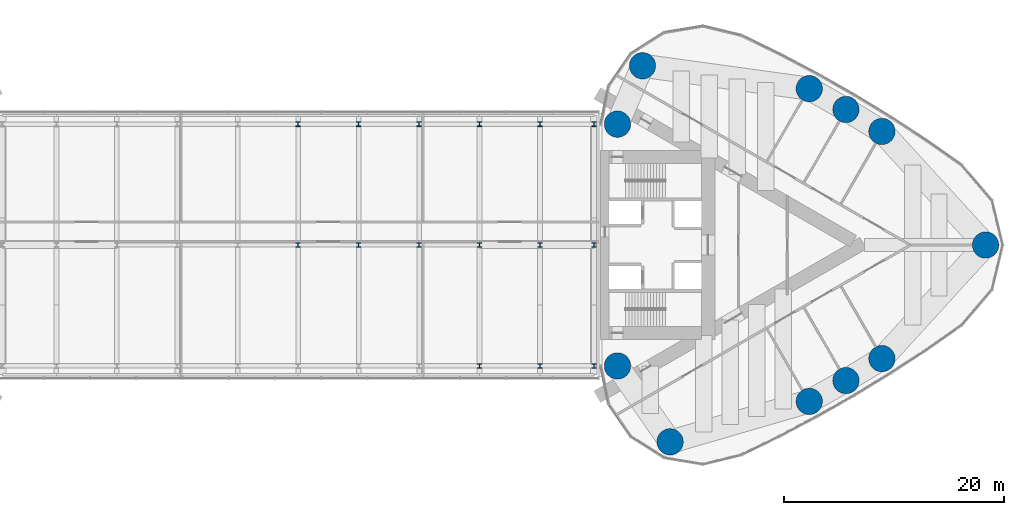
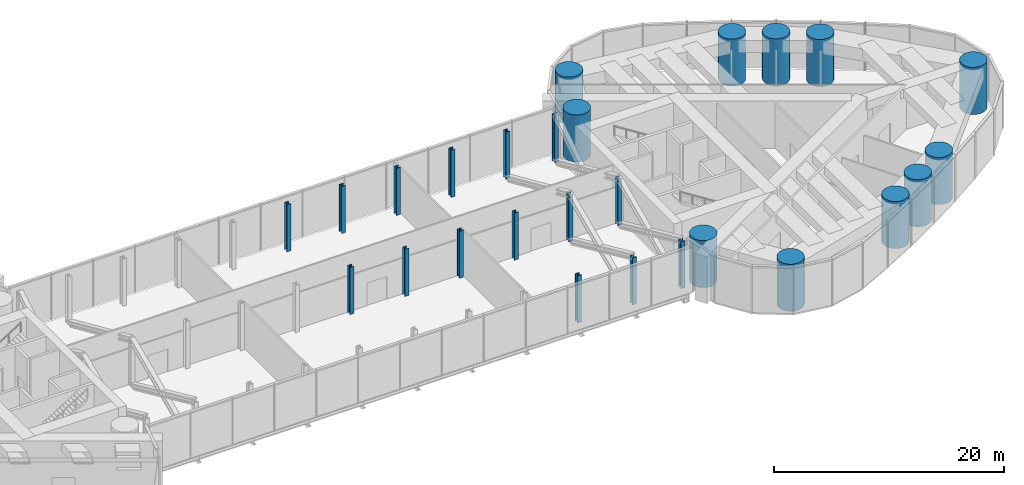
# One storey, part 2 of 19: 26 columns.
"""IFC4 building model written with IfcOpenShell, lengths in metres."""

from ifc_helpers import new_model, si_unit, direction, frame, origin, origin_2d, place, context, subcontext, project, spatial, circle, i_section, extrude, material, material_profile, profile_set, type_object, element, save


model = new_model("IFC4")

# Units and contexts
model_context = context("Model", 3, precision=1e-05, world=origin(), true_north=direction((0.0, 1.0)))
body_context = subcontext(model_context, "Body", "Model", "MODEL_VIEW")
ifc_project = project(units=[si_unit("LENGTHUNIT", "METRE"), si_unit("AREAUNIT", "SQUARE_METRE"), si_unit("VOLUMEUNIT", "CUBIC_METRE"), si_unit("PLANEANGLEUNIT", "RADIAN"), si_unit("MASSUNIT", "GRAM", prefix="KILO")], contexts=[model_context])

# Site, building, storey
site_placement = place(None, origin())
site = spatial("IfcSite", under=ifc_project, at=site_placement, CompositionType="ELEMENT")
building_placement = place(site_placement, origin())
building = spatial("IfcBuilding", under=site, at=building_placement, Name="Lancet Gate Hotel", CompositionType="ELEMENT")
storey_placement = place(building_placement, frame((0.0, 0.0, 263.300048828125)))
storey = spatial("IfcBuildingStorey", under=building, at=storey_placement, Name="L69", CompositionType="ELEMENT", Elevation=263.300048828125)

# Columns
ifc_material_1 = material(Name="Steel S355", Category="steel")
ifc_material_profile_1 = material_profile(ifc_material_1, i_section(OverallWidth=0.412109375, OverallDepth=0.4365234375, WebThickness=0.035888671875, FlangeThickness=0.05810546875, FilletRadius=0.01513671875, at=origin_2d()), Name="UKC 356x406x467")
ifc_profile_set_1 = profile_set([ifc_material_profile_1], Name="Steel S355")
column_type_1 = type_object("IfcColumnType", Name="Block column UKC 356x406x467", PredefinedType="COLUMN", material=ifc_profile_set_1)
for number, where, z_axis, x_axis, name in (
    (1, (16.5, -11.0, 0.0), (0.0, 0.0, 1.0), (1.0, 0.0, 0.0), "Block column S8 L69"),
    (2, (22.0, -11.0, 0.0), (0.0, 0.0, 1.0), (1.0, 0.0, 0.0), "Block column S9 L69"),
    (3, (26.89990234375, -11.0, 0.0), (0.0, 0.0, 1.0), (1.0, 0.0, 0.0), "Block column S10 L69"),
    (4, (0.0, 0.0, 0.0), (0.0, 0.0, 1.0), (1.0, 0.0, 0.0), "Block column M5 L69"),
    (5, (5.5, 0.0, 0.0), (0.0, 0.0, 1.0), (1.0, 0.0, 0.0), "Block column M6 L69"),
    (6, (11.0, 0.0, 0.0), (0.0, 0.0, 1.0), (1.0, 0.0, 0.0), "Block column M7 L69"),
    (7, (16.5, 0.0, 0.0), (0.0, 0.0, 1.0), (1.0, 0.0, 0.0), "Block column M8 L69"),
    (8, (22.0, 0.0, 0.0), (0.0, 0.0, 1.0), (1.0, 0.0, 0.0), "Block column M9 L69"),
    (9, (26.89990234375, 0.0, 0.0), (0.0, 0.0, 1.0), (1.0, 0.0, 0.0), "Block column M10 L69"),
    (10, (0.0, 11.0, 0.0), (0.0, 0.0, 1.0), (1.0, 0.0, 0.0), "Block column N5 L69"),
    (11, (5.5, 11.0, 0.0), (0.0, 0.0, 1.0), (1.0, 0.0, 0.0), "Block column N6 L69"),
    (12, (11.0, 11.0, 0.0), (0.0, 0.0, 1.0), (1.0, 0.0, 0.0), "Block column N7 L69"),
    (13, (16.5, 11.0, 0.0), (0.0, 0.0, 1.0), (1.0, 0.0, 0.0), "Block column N8 L69"),
    (14, (22.0, 11.0, 0.0), (0.0, 0.0, 1.0), (1.0, 0.0, 0.0), "Block column N9 L69"),
    (15, (26.89990234375, 11.0, 0.0), (0.0, 0.0, 1.0), (1.0, 0.0, 0.0), "Block column N10 L69"),
):
    element("IfcColumn", number, at=place(storey_placement, frame(where, z_axis=z_axis, x_axis=x_axis)), inside=storey, type_object=column_type_1, Name=name, PredefinedType="COLUMN", context=body_context, shape_type="SweptSolid", body=[
        extrude(i_section(OverallWidth=0.412109375, OverallDepth=0.4365234375, WebThickness=0.035888671875, FlangeThickness=0.05810546875, FilletRadius=0.01513671875, at=origin_2d()), origin(), (0.0, 0.0, 1.0), 5.0),
    ])
ifc_material_2 = material(Name="Concrete C50/60", Category="concrete")
ifc_material_profile_2 = material_profile(ifc_material_2, circle(Radius=1.199951171875, at=origin_2d()), Name="RC D2400")
ifc_profile_set_2 = profile_set([ifc_material_profile_2], Name="Concrete C50/60")
column_type_2 = type_object("IfcColumnType", Name="Perimeter column RC D2400", PredefinedType="COLUMN", material=ifc_profile_set_2)
for number, where, z_axis, x_axis, name in (
    (16, (62.54150390625, 0.0, 0.0), (0.0, 0.0, 1.0), (1.0, 0.0, 0.0), "T2 column CA L69"),
    (17, (31.328369140625, 16.310791015625, 0.0), (0.0, 0.0, 1.0), (1.0, 0.0, 0.0), "T2 column CN L69"),
    (18, (33.837158203125, -17.906005859375, 0.0), (0.0, 0.0, 1.0), (1.0, 0.0, 0.0), "T2 column CS L69"),
    (19, (29.050048828125, 11.0, 0.0), (0.0, 0.0, 1.0), (1.0, 0.0, 0.0), "T2 column IN L69"),
    (20, (29.050048828125, -11.0, 0.0), (0.0, 0.0, 1.0), (1.0, 0.0, 0.0), "T2 column IS L69"),
    (21, (53.107666015625, 10.333984375, 0.0), (0.0, 0.0, 1.0), (1.0, 0.0, 0.0), "T2 column ON1 L69"),
    (22, (49.833984375, 12.331787109375, 0.0), (0.0, 0.0, 1.0), (1.0, 0.0, 0.0), "T2 column ON2 L69"),
    (23, (46.499267578125, 14.2255859375, 0.0), (0.0, 0.0, 1.0), (1.0, 0.0, 0.0), "T2 column ON3 L69"),
    (24, (46.499267578125, -14.2255859375, 0.0), (0.0, 0.0, 1.0), (1.0, 0.0, 0.0), "T2 column OS1 L69"),
    (25, (49.833984375, -12.331787109375, 0.0), (0.0, 0.0, 1.0), (1.0, 0.0, 0.0), "T2 column OS2 L69"),
    (26, (53.107666015625, -10.333984375, 0.0), (0.0, 0.0, 1.0), (1.0, 0.0, 0.0), "T2 column OS3 L69"),
):
    element("IfcColumn", number, at=place(storey_placement, frame(where, z_axis=z_axis, x_axis=x_axis)), inside=storey, type_object=column_type_2, Name=name, PredefinedType="COLUMN", context=body_context, shape_type="SweptSolid", body=[
        extrude(circle(Radius=1.199951171875, at=origin_2d()), origin(), (0.0, 0.0, 1.0), 5.0),
    ])

save(model, "model.ifc")
